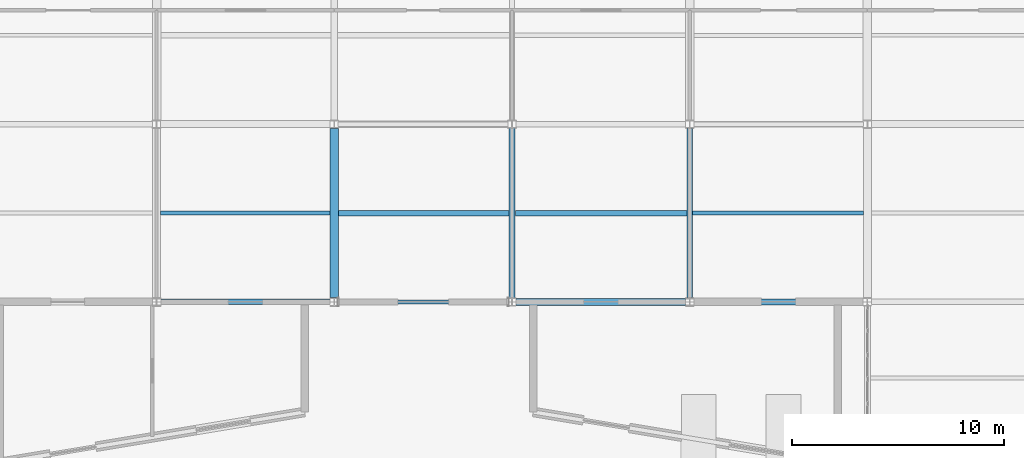
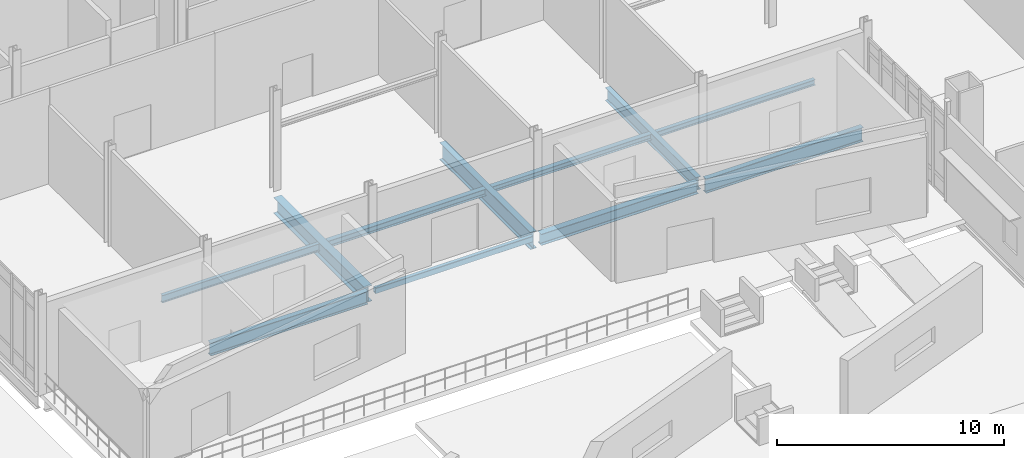
# One storey, part 24 of 229: 11 beams.
"""IFC4 building model written with IfcOpenShell, lengths in metres."""

from ifc_helpers import new_model, si_unit, direction, frame, origin, origin_2d, place, context, subcontext, project, spatial, hollow_rectangle, i_section, extrude, material, material_profile, profile_set, type_object, element, save


model = new_model("IFC4")

# Units and contexts
model_context = context("Model", 3, precision=1e-05, world=origin(), true_north=direction((0.0, 1.0)))
body_context = subcontext(model_context, "Body", "Model", "MODEL_VIEW")
ifc_project = project(units=[si_unit("LENGTHUNIT", "METRE"), si_unit("AREAUNIT", "SQUARE_METRE"), si_unit("VOLUMEUNIT", "CUBIC_METRE"), si_unit("PLANEANGLEUNIT", "RADIAN"), si_unit("MASSUNIT", "GRAM", prefix="KILO")], contexts=[model_context])

# Site, building, storey
site_placement = place(None, origin())
site = spatial("IfcSite", under=ifc_project, at=site_placement, CompositionType="ELEMENT")
building_placement = place(site_placement, origin())
building = spatial("IfcBuilding", under=site, at=building_placement, Name="Calvrana Isthmian Art Gallery", CompositionType="ELEMENT")
storey_placement = place(building_placement, origin())
storey = spatial("IfcBuildingStorey", under=building, at=storey_placement, Name="L00", CompositionType="ELEMENT", Elevation=0.0)

# Beams
ifc_material_1 = material(Name="Steel ASTM A992 Gr 50", Category="steel")
ifc_material_profile_1 = material_profile(ifc_material_1, i_section(OverallWidth=0.324951171875, OverallDepth=0.612060546875, WebThickness=0.0126953125, FlangeThickness=0.01904296875, FilletRadius=0.02197265625, at=origin_2d()), Name="W24X104")
ifc_profile_set_1 = profile_set([ifc_material_profile_1], Name="Steel ASTM A992 Gr 50")
beam_type_1 = type_object("IfcBeamType", Name="BM-G-W24X104", PredefinedType="BEAM", material=ifc_profile_set_1)
beam_1_placement = place(storey_placement, frame((46.99951171875, 21.60009765625, -0.591064453125), z_axis=(1.0, 0.0, 0.0), x_axis=(0.0, 1.0, 0.0)))
element("IfcBeam", 1, at=beam_1_placement, inside=storey, type_object=beam_type_1, Name="Girder X L00 07-08/D", PredefinedType="BEAM", context=body_context, shape_type="SweptSolid", body=[
    extrude(i_section(OverallWidth=0.324951171875, OverallDepth=0.612060546875, WebThickness=0.0126953125, FlangeThickness=0.01904296875, FilletRadius=0.02197265625, at=origin_2d()), origin(), (0.0, 0.0, 1.0), 7.99755859375),
])
ifc_material_profile_2 = material_profile(ifc_material_1, i_section(OverallWidth=0.257080078125, OverallDepth=0.693115234375, WebThickness=0.014404296875, FlangeThickness=0.023681640625, FilletRadius=0.02392578125, at=origin_2d()), Name="W27X114")
ifc_profile_set_2 = profile_set([ifc_material_profile_2], Name="Steel ASTM A992 Gr 50")
beam_type_2 = type_object("IfcBeamType", Name="BM-G-W27X114", PredefinedType="BEAM", material=ifc_profile_set_2)
beam_2_placement = place(storey_placement, frame((30.199462890625, 21.60009765625, -0.631591796875), z_axis=(1.0, 0.0, 0.0), x_axis=(0.0, 1.0, 0.0)))
element("IfcBeam", 2, at=beam_2_placement, inside=storey, type_object=beam_type_2, Name="Girder X L00 05-06/D", PredefinedType="BEAM", context=body_context, shape_type="SweptSolid", body=[
    extrude(i_section(OverallWidth=0.257080078125, OverallDepth=0.693115234375, WebThickness=0.014404296875, FlangeThickness=0.023681640625, FilletRadius=0.02392578125, at=origin_2d()), origin(), (0.0, 0.0, 1.0), 7.99853515625),
])
beam_3_placement = place(storey_placement, frame((55.199951171875, 21.80859375, -0.631591796875), z_axis=(0.0, 1.0, 0.0), x_axis=(-1.0, 0.0, 0.0)))
element("IfcBeam", 3, at=beam_3_placement, inside=storey, type_object=beam_type_2, Name="Girder Y L00 08/D-E", PredefinedType="BEAM", context=body_context, shape_type="SweptSolid", body=[
    extrude(i_section(OverallWidth=0.257080078125, OverallDepth=0.693115234375, WebThickness=0.014404296875, FlangeThickness=0.023681640625, FilletRadius=0.02392578125, at=origin_2d()), origin(), (0.0, 0.0, 1.0), 7.998291015625),
])
ifc_material_profile_3 = material_profile(ifc_material_1, i_section(OverallWidth=0.26708984375, OverallDepth=0.761962890625, WebThickness=0.014404296875, FlangeThickness=0.021484375, FilletRadius=0.02490234375, at=origin_2d()), Name="W30X116")
ifc_profile_set_3 = profile_set([ifc_material_profile_3], Name="Steel ASTM A992 Gr 50")
beam_type_3 = type_object("IfcBeamType", Name="BM-G-W30X116", PredefinedType="BEAM", material=ifc_profile_set_3)
beam_4_placement = place(storey_placement, frame((55.403076171875, 21.60009765625, -0.666015625), z_axis=(1.0, 0.0, 0.0), x_axis=(0.0, 1.0, 0.0)))
element("IfcBeam", 4, at=beam_4_placement, inside=storey, type_object=beam_type_3, Name="Girder X L00 08-09/D", PredefinedType="BEAM", context=body_context, shape_type="SweptSolid", body=[
    extrude(i_section(OverallWidth=0.26708984375, OverallDepth=0.761962890625, WebThickness=0.014404296875, FlangeThickness=0.021484375, FilletRadius=0.02490234375, at=origin_2d()), origin(), (0.0, 0.0, 1.0), 7.996337890625),
])
ifc_material_profile_4 = material_profile(ifc_material_1, i_section(OverallWidth=0.40087890625, OverallDepth=0.85595703125, WebThickness=0.018310546875, FlangeThickness=0.029296875, FilletRadius=0.02587890625, at=origin_2d()), Name="W33X201")
ifc_profile_set_4 = profile_set([ifc_material_profile_4], Name="Steel ASTM A992 Gr 50")
beam_type_4 = type_object("IfcBeamType", Name="BM-G-W33X201", PredefinedType="BEAM", material=ifc_profile_set_4)
beam_5_placement = place(storey_placement, frame((38.39990234375, 21.802978515625, -0.712890625), z_axis=(0.0, 1.0, 0.0), x_axis=(-1.0, 0.0, 0.0)))
element("IfcBeam", 5, at=beam_5_placement, inside=storey, type_object=beam_type_4, Name="Girder Y L00 06/D-E", PredefinedType="BEAM", context=body_context, shape_type="SweptSolid", body=[
    extrude(i_section(OverallWidth=0.40087890625, OverallDepth=0.85595703125, WebThickness=0.018310546875, FlangeThickness=0.029296875, FilletRadius=0.02587890625, at=origin_2d()), origin(), (0.0, 0.0, 1.0), 8.00390625),
])
ifc_material_profile_5 = material_profile(ifc_material_1, i_section(OverallWidth=0.306884765625, OverallDepth=0.927001953125, WebThickness=0.019287109375, FlangeThickness=0.031982421875, FilletRadius=0.028076171875, at=origin_2d()), Name="W36X194")
ifc_profile_set_5 = profile_set([ifc_material_profile_5], Name="Steel ASTM A992 Gr 50")
beam_type_5 = type_object("IfcBeamType", Name="BM-G-W36X194", PredefinedType="BEAM", material=ifc_profile_set_5)
beam_6_placement = place(storey_placement, frame((46.800048828125, 21.797119140625, -0.74853515625), z_axis=(0.0, 1.0, 0.0), x_axis=(-1.0, 0.0, 0.0)))
element("IfcBeam", 6, at=beam_6_placement, inside=storey, type_object=beam_type_5, Name="Girder Y L00 07/D-E", PredefinedType="BEAM", context=body_context, shape_type="SweptSolid", body=[
    extrude(i_section(OverallWidth=0.306884765625, OverallDepth=0.927001953125, WebThickness=0.019287109375, FlangeThickness=0.031982421875, FilletRadius=0.028076171875, at=origin_2d()), origin(), (0.0, 0.0, 1.0), 8.012451171875),
])
ifc_material_profile_6 = material_profile(ifc_material_1, i_section(OverallWidth=0.202880859375, OverallDepth=0.302001953125, WebThickness=0.007568359375, FlangeThickness=0.01318359375, FilletRadius=0.01611328125, at=origin_2d()), Name="W12X40")
ifc_profile_set_6 = profile_set([ifc_material_profile_6], Name="Steel ASTM A992 Gr 50")
beam_type_6 = type_object("IfcBeamType", Name="BM-J-W12X40", PredefinedType="JOIST", material=ifc_profile_set_6)
beam_7_placement = place(storey_placement, frame((55.32861328125, 25.800048828125, -0.43603515625), z_axis=(1.0, 0.0, 0.0), x_axis=(0.0, 1.0, 0.0)))
element("IfcBeam", 7, at=beam_7_placement, inside=storey, type_object=beam_type_6, Name="Composite joist L00 bay 07-03", PredefinedType="JOIST", context=body_context, shape_type="SweptSolid", body=[
    extrude(i_section(OverallWidth=0.202880859375, OverallDepth=0.302001953125, WebThickness=0.007568359375, FlangeThickness=0.01318359375, FilletRadius=0.01611328125, at=origin_2d()), origin(), (0.0, 0.0, 1.0), 8.080810546875),
])
ifc_material_profile_7 = material_profile(ifc_material_1, i_section(OverallWidth=0.25390625, OverallDepth=0.306884765625, WebThickness=0.0087890625, FlangeThickness=0.0146484375, FilletRadius=0.01611328125, at=origin_2d()), Name="W12X53")
ifc_profile_set_7 = profile_set([ifc_material_profile_7], Name="Steel ASTM A992 Gr 50")
beam_type_7 = type_object("IfcBeamType", Name="BM-J-W12X53", PredefinedType="JOIST", material=ifc_profile_set_7)
beam_8_placement = place(storey_placement, frame((46.95361328125, 25.800048828125, -0.4384765625), z_axis=(1.0, 0.0, 0.0), x_axis=(0.0, 1.0, 0.0)))
element("IfcBeam", 8, at=beam_8_placement, inside=storey, type_object=beam_type_7, Name="Composite joist L00 bay 06-03", PredefinedType="JOIST", context=body_context, shape_type="SweptSolid", body=[
    extrude(i_section(OverallWidth=0.25390625, OverallDepth=0.306884765625, WebThickness=0.0087890625, FlangeThickness=0.0146484375, FilletRadius=0.01611328125, at=origin_2d()), origin(), (0.0, 0.0, 1.0), 8.117919921875),
])
ifc_material_profile_8 = material_profile(ifc_material_1, i_section(OverallWidth=0.25390625, OverallDepth=0.35302734375, WebThickness=0.009521484375, FlangeThickness=0.016357421875, FilletRadius=0.01806640625, at=origin_2d()), Name="W14X61")
ifc_profile_set_8 = profile_set([ifc_material_profile_8], Name="Steel ASTM A992 Gr 50")
beam_type_8 = type_object("IfcBeamType", Name="BM-J-W14X61", PredefinedType="JOIST", material=ifc_profile_set_8)
beam_9_placement = place(storey_placement, frame((38.6005859375, 25.800048828125, -0.46142578125), z_axis=(1.0, 0.0, 0.0), x_axis=(0.0, 1.0, 0.0)))
element("IfcBeam", 9, at=beam_9_placement, inside=storey, type_object=beam_type_8, Name="Composite joist L00 bay 05-03", PredefinedType="JOIST", context=body_context, shape_type="SweptSolid", body=[
    extrude(i_section(OverallWidth=0.25390625, OverallDepth=0.35302734375, WebThickness=0.009521484375, FlangeThickness=0.016357421875, FilletRadius=0.01806640625, at=origin_2d()), origin(), (0.0, 0.0, 1.0), 8.0458984375),
])
ifc_material_profile_9 = material_profile(ifc_material_1, i_section(OverallWidth=0.177978515625, OverallDepth=0.404052734375, WebThickness=0.007568359375, FlangeThickness=0.010986328125, FilletRadius=0.01806640625, at=origin_2d()), Name="W16X36")
ifc_profile_set_9 = profile_set([ifc_material_profile_9], Name="Steel ASTM A992 Gr 50")
beam_type_9 = type_object("IfcBeamType", Name="BM-J-W16X36", PredefinedType="JOIST", material=ifc_profile_set_9)
beam_10_placement = place(storey_placement, frame((30.1904296875, 25.800048828125, -0.487060546875), z_axis=(1.0, 0.0, 0.0), x_axis=(0.0, 1.0, 0.0)))
element("IfcBeam", 10, at=beam_10_placement, inside=storey, type_object=beam_type_9, Name="Composite joist L00 bay 04-03", PredefinedType="JOIST", context=body_context, shape_type="SweptSolid", body=[
    extrude(i_section(OverallWidth=0.177978515625, OverallDepth=0.404052734375, WebThickness=0.007568359375, FlangeThickness=0.010986328125, FilletRadius=0.01806640625, at=origin_2d()), origin(), (0.0, 0.0, 1.0), 8.009033203125),
])
ifc_material_2 = material(Name="Steel ASTM A500 Gr C", Category="steel")
ifc_material_profile_10 = material_profile(ifc_material_2, hollow_rectangle(XDim=0.203125, YDim=0.3046875, WallThickness=0.0126953125, OuterFilletRadius=0.02490234375, at=origin_2d()), Name="HSS305X203X12.7")
ifc_profile_set_10 = profile_set([ifc_material_profile_10], Name="Steel ASTM A500 Gr C")
beam_type_10 = type_object("IfcBeamType", Name="BM-SP-HSS305", PredefinedType="SPANDREL", material=ifc_profile_set_10)
beam_11_placement = place(storey_placement, frame((38.60205078125, 21.60009765625, -0.4375), z_axis=(1.0, 0.0, 0.0), x_axis=(0.0, 1.0, 0.0)))
element("IfcBeam", 11, at=beam_11_placement, inside=storey, type_object=beam_type_10, Name="Girder X L00 06-07/D", PredefinedType="SPANDREL", context=body_context, shape_type="SweptSolid", body=[
    extrude(hollow_rectangle(XDim=0.203125, YDim=0.3046875, WallThickness=0.0126953125, OuterFilletRadius=0.02490234375, at=origin_2d()), origin(), (0.0, 0.0, 1.0), 7.99853515625),
])

save(model, "model.ifc")
